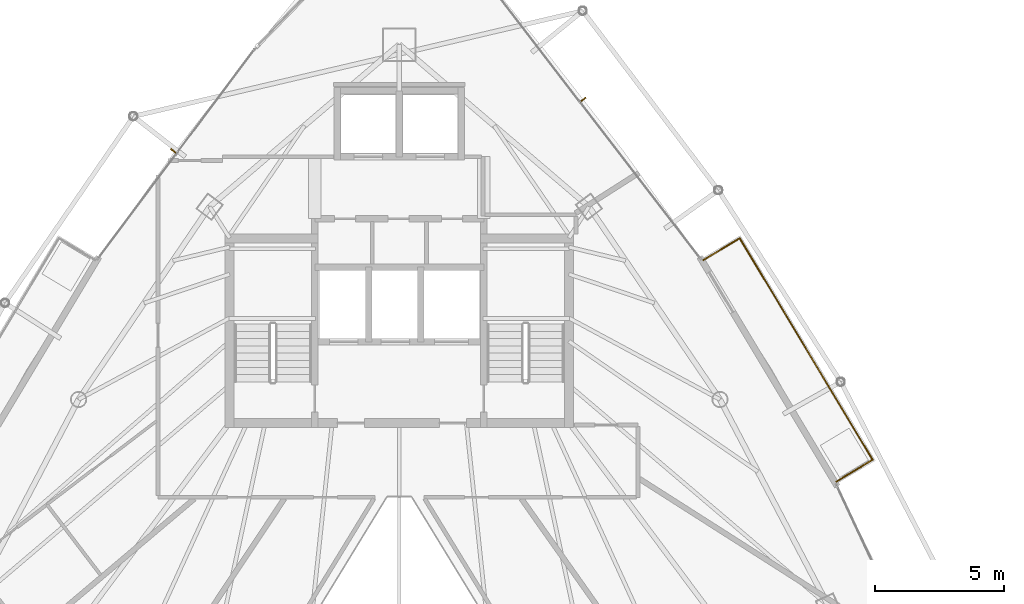
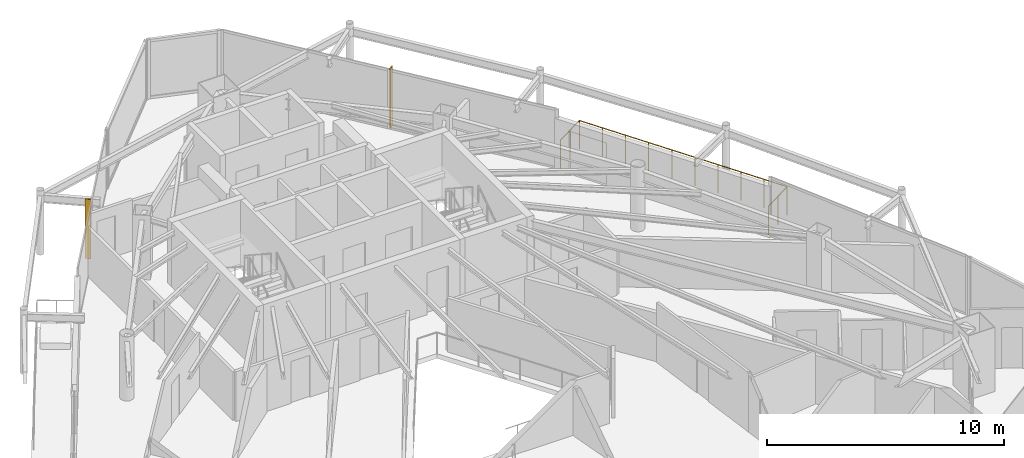
# One storey, part 33 of 33: 2 shading devices, 1 railing.
"""IFC4 building model written with IfcOpenShell, lengths in metres."""

from ifc_helpers import new_model, si_unit, direction, frame, origin, origin_2d, place, context, subcontext, project, spatial, rectangle, circle, extrude, material, layer, layer_set, type_object, element, save


model = new_model("IFC4")

# Units and contexts
model_context = context("Model", 3, precision=1e-05, world=origin(), true_north=direction((0.0, 1.0)))
body_context = subcontext(model_context, "Body", "Model", "MODEL_VIEW")
ifc_project = project(units=[si_unit("LENGTHUNIT", "METRE"), si_unit("AREAUNIT", "SQUARE_METRE"), si_unit("VOLUMEUNIT", "CUBIC_METRE"), si_unit("PLANEANGLEUNIT", "RADIAN"), si_unit("MASSUNIT", "GRAM", prefix="KILO")], contexts=[model_context])

# Site, building, storey
site_placement = place(None, origin())
site = spatial("IfcSite", under=ifc_project, at=site_placement, CompositionType="ELEMENT")
building_placement = place(site_placement, origin())
building = spatial("IfcBuilding", under=site, at=building_placement, Name="Orvanel Arch Residences", CompositionType="ELEMENT")
storey_placement = place(building_placement, frame((0.0, 0.0, 209.60009765625)))
storey = spatial("IfcBuildingStorey", under=building, at=storey_placement, Name="L59", CompositionType="ELEMENT", Elevation=209.60009765625)

# Shading devices
ifc_material = material(Name="Bronze-anodised aluminium AA6063-T6", Category="aluminium")
ifc_layer = layer(ifc_material, 0.050048828125)
ifc_layer_set = layer_set([ifc_layer], Name="Bronze-anodised aluminium AA6063-T6")
shading_device_type = type_object("IfcShadingDeviceType", Name="FIN-BRZ-260", PredefinedType="USERDEFINED", material=ifc_layer_set)
for number, where, z_axis, x_axis, name in (
    (1, (24.243896484375, 37.27294921875, -0.000244140625), (0.0, 0.0, 1.0), (-0.800731370949, 0.599023598516, 0.0), "L59 Anodised Bronze Mullion FIN 01"),
    (2, (40.1298828125, 39.26611328125, -0.000244140625), (0.0, 0.0, 1.0), (0.792289643355, 0.610145163901, 0.0), "L59 Anodised Bronze Mullion FIN 01"),
):
    element("IfcShadingDevice", number, at=place(storey_placement, frame(where, z_axis=z_axis, x_axis=x_axis)), inside=storey, type_object=shading_device_type, Name=name, ObjectType="FIN", PredefinedType="USERDEFINED", context=body_context, shape_type="SweptSolid", body=[
        extrude(rectangle(XDim=0.260009765625, YDim=0.050048828125, at=origin_2d()), origin(), (0.0, 0.0, 1.0), 3.06005859375),
    ])

# Railing
railing_type = type_object("IfcRailingType", Name="RL-BAL-1480", PredefinedType="BALUSTRADE", material=ifc_material)
railing_placement = place(storey_placement, frame((49.94189453125, 24.4580078125, 0.0)))
element("IfcRailing", 3, at=railing_placement, inside=storey, type_object=railing_type, Name="L59 Balcony Perimeter Guardrail Face 3", PredefinedType="BALUSTRADE", context=body_context, shape_type="SweptSolid", body=[
    extrude(circle(Radius=0.02392578125, at=origin_2d()), frame((0.001220703125, 0.000732421875, 1.4560546875), z_axis=(0.857584807373, 0.514342588322, 0.0), x_axis=(-0.514342588322, 0.857584807373, 0.0)), (0.0, 0.0, 1.0), 1.637939453125),
    extrude(circle(Radius=0.02392578125, at=origin_2d()), frame((1.406494140625, 0.84521484375, 1.4560546875), z_axis=(-0.514467079564, 0.857510130579, 0.0), x_axis=(-0.857510130579, -0.514467079564, 0.0)), (0.0, 0.0, 1.0), 10.013427734375),
    extrude(circle(Radius=0.02392578125, at=origin_2d()), frame((-3.7470703125, 9.432373046875, 1.4560546875), z_axis=(-0.857387817543, -0.514670895164, 0.0), x_axis=(0.514670895164, -0.857387817543, 0.0)), (0.0, 0.0, 1.0), 1.636962890625),
    extrude(circle(Radius=0.02099609375, at=origin_2d()), origin(), (0.0, 0.0, 1.0), 1.429931640625),
    extrude(circle(Radius=0.02099609375, at=origin_2d()), frame((0.70361328125, 0.421875, 0.0)), (0.0, 0.0, 1.0), 1.429931640625),
    extrude(circle(Radius=0.02099609375, at=origin_2d()), frame((1.4072265625, 0.843994140625, 0.0)), (0.0, 0.0, 1.0), 1.429931640625),
    extrude(circle(Radius=0.02099609375, at=origin_2d()), frame((0.834716796875, 1.79833984375, 0.0)), (0.0, 0.0, 1.0), 1.429931640625),
    extrude(circle(Radius=0.02099609375, at=origin_2d()), frame((0.26220703125, 2.752685546875, 0.0)), (0.0, 0.0, 1.0), 1.429931640625),
    extrude(circle(Radius=0.02099609375, at=origin_2d()), frame((-0.310546875, 3.70703125, 0.0)), (0.0, 0.0, 1.0), 1.429931640625),
    extrude(circle(Radius=0.02099609375, at=origin_2d()), frame((-0.883056640625, 4.661376953125, 0.0)), (0.0, 0.0, 1.0), 1.429931640625),
    extrude(circle(Radius=0.02099609375, at=origin_2d()), frame((-1.45556640625, 5.61572265625, 0.0)), (0.0, 0.0, 1.0), 1.429931640625),
    extrude(circle(Radius=0.02099609375, at=origin_2d()), frame((-2.028076171875, 6.570068359375, 0.0)), (0.0, 0.0, 1.0), 1.429931640625),
    extrude(circle(Radius=0.02099609375, at=origin_2d()), frame((-2.600830078125, 7.5244140625, 0.0)), (0.0, 0.0, 1.0), 1.429931640625),
    extrude(circle(Radius=0.02099609375, at=origin_2d()), frame((-3.17333984375, 8.478759765625, 0.0)), (0.0, 0.0, 1.0), 1.429931640625),
    extrude(circle(Radius=0.02099609375, at=origin_2d()), frame((-3.745849609375, 9.43310546875, 0.0)), (0.0, 0.0, 1.0), 1.429931640625),
    extrude(circle(Radius=0.02099609375, at=origin_2d()), frame((-4.44873046875, 9.01123046875, 0.0)), (0.0, 0.0, 1.0), 1.429931640625),
    extrude(circle(Radius=0.02099609375, at=origin_2d()), frame((-5.15185546875, 8.589111328125, 0.0)), (0.0, 0.0, 1.0), 1.429931640625),
])

save(model, "model.ifc")
